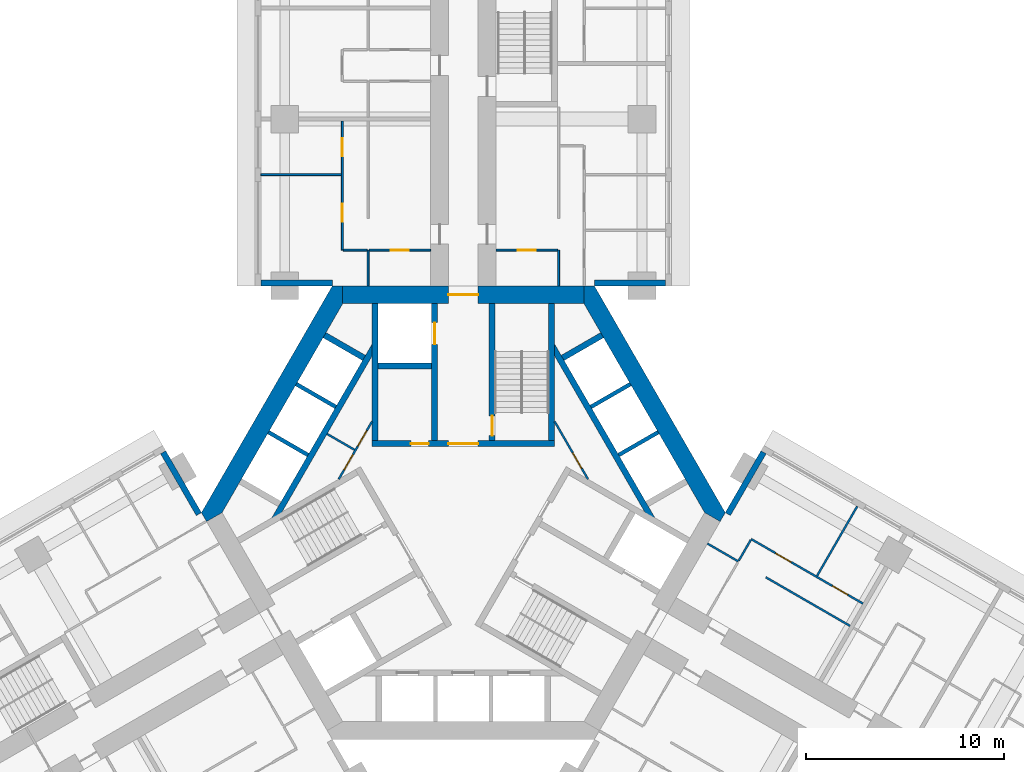
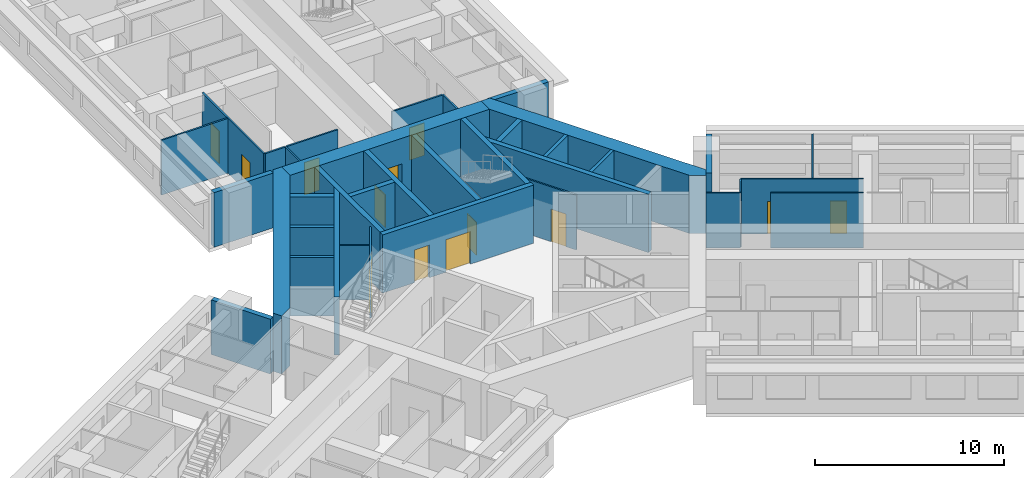
# One storey, part 8 of 16: 36 walls, 14 doors, 14 openings.
"""IFC4 building model written with IfcOpenShell, lengths in metres."""

from ifc_helpers import new_model, si_unit, direction, frame, frame_2d, origin, place, context, subcontext, project, spatial, polyline, rectangle, outline, extrude, material, layer, layer_set, type_object, element, fill, save


model = new_model("IFC4")

# Units and contexts
model_context = context("Model", 3, precision=1e-05, world=origin(), true_north=direction((0.0, 1.0)))
body_context = subcontext(model_context, "Body", "Model", "MODEL_VIEW")
ifc_project = project(units=[si_unit("LENGTHUNIT", "METRE"), si_unit("AREAUNIT", "SQUARE_METRE"), si_unit("VOLUMEUNIT", "CUBIC_METRE"), si_unit("PLANEANGLEUNIT", "RADIAN"), si_unit("MASSUNIT", "GRAM", prefix="KILO")], contexts=[model_context])

# Site, building, storey
site_placement = place(None, origin())
site = spatial("IfcSite", under=ifc_project, at=site_placement, CompositionType="ELEMENT")
building_placement = place(site_placement, origin())
building = spatial("IfcBuilding", under=site, at=building_placement, Name="Impinga Residences", CompositionType="ELEMENT")
storey_placement = place(building_placement, frame((0.0, 0.0, 67.25)))
storey = spatial("IfcBuildingStorey", under=building, at=storey_placement, Name="L16", CompositionType="ELEMENT", Elevation=67.25)

# Wall, opening, door
ifc_material_1 = material(Name="Concrete blockwork", Category="masonry")
ifc_layer_1 = layer(ifc_material_1, 0.10009765625)
ifc_layer_set_1 = layer_set([ifc_layer_1], Name="CP1 core room partition, blockwork 100")
wall_type_1 = type_object("IfcWallType", Name="CP1 core room partition, blockwork 100", PredefinedType="PARTITIONING", material=ifc_layer_set_1)
wall_1_placement = place(storey_placement, frame((4.60009765625, 4.595703125, 0.0), z_axis=(0.0, 0.0, 1.0), x_axis=(0.499976138585, -0.866039179741, 0.0)))
wall_1 = element("IfcWall", 1, at=wall_1_placement, inside=storey, type_object=wall_type_1, Name="Core room partition, blockwork L16:CORE:mid:FP", PredefinedType="PARTITIONING", context=body_context, shape_type="SweptSolid", body=[
    extrude(rectangle(XDim=3.360107421875, YDim=0.10009765625, at=frame_2d((1.68017578125, 0.0))), origin(), (0.0, 0.0, 1.0), 3.530029296875),
])
opening_1_placement = place(wall_1_placement, frame((1.829833984375, 0.0, 0.0)))
opening_1 = element("IfcOpeningElement", 2, at=opening_1_placement, cuts=wall_1, Name="Opening D6", PredefinedType="OPENING", context=body_context, shape_type="SweptSolid", body=[
    extrude(rectangle(XDim=0.89990234375, YDim=2.10009765625, at=frame_2d((0.449951171875, 1.050048828125))), frame((0.0, 0.06005859375, 0.0), z_axis=(0.0, -1.0, 0.0), x_axis=(1.0, 0.0, 0.0)), (0.0, 0.0, 1.0), 0.1201171875),
])
ifc_material_2 = material(Name="Timber door set", Category="wood")
door_type_1 = type_object("IfcDoorType", Name="D6 riser and store door 900x2100", OperationType="SINGLE_SWING_LEFT", PredefinedType="DOOR", material=ifc_material_2)
door_1_placement = place(opening_1_placement, origin())
door_1 = element("IfcDoor", 3, at=door_1_placement, inside=storey, type_object=door_type_1, Name="Residents' storage lockers door", OperationType="SINGLE_SWING_RIGHT", OverallHeight=2.10009765625, OverallWidth=0.89990234375, PredefinedType="DOOR", context=body_context, shape_type="SweptSolid", body=[
    extrude(rectangle(XDim=0.89990234375, YDim=2.10009765625, at=frame_2d((0.449951171875, 1.050048828125))), frame((0.0, 0.02490234375, 0.0), z_axis=(0.0, -1.0, 0.0), x_axis=(1.0, 0.0, 0.0)), (0.0, 0.0, 1.0), 0.050048828125),
])
fill(opening_1, door_1)

# Wall, openings, doors
wall_2_placement = place(storey_placement, frame((-6.280029296875, 1.685791015625, 0.0), z_axis=(0.0, 0.0, 1.0), x_axis=(0.499976138585, 0.866039179741, 0.0)))
wall_2 = element("IfcWall", 4, at=wall_2_placement, inside=storey, type_object=wall_type_1, Name="Core room partition, blockwork L16:CORE:high:FP", PredefinedType="PARTITIONING", context=body_context, shape_type="SweptSolid", body=[
    extrude(rectangle(XDim=3.360107421875, YDim=0.10009765625, at=frame_2d((1.68017578125, 0.0))), origin(), (0.0, 0.0, 1.0), 3.530029296875),
])
opening_2_placement = place(wall_2_placement, frame((0.530029296875, 0.0, 0.0)))
opening_2 = element("IfcOpeningElement", 5, at=opening_2_placement, cuts=wall_2, Name="Opening D6", PredefinedType="OPENING", context=body_context, shape_type="SweptSolid", body=[
    extrude(rectangle(XDim=0.89990234375, YDim=2.10009765625, at=frame_2d((0.449951171875, 1.050048828125))), frame((0.0, 0.06005859375, 0.0), z_axis=(0.0, -1.0, 0.0), x_axis=(1.0, 0.0, 0.0)), (0.0, 0.0, 1.0), 0.1201171875),
])
opening_3_placement = place(wall_2_placement, frame((1.929931640625, 0.0, 0.0)))
opening_3 = element("IfcOpeningElement", 6, at=opening_3_placement, cuts=wall_2, Name="Opening D6", PredefinedType="OPENING", context=body_context, shape_type="SweptSolid", body=[
    extrude(rectangle(XDim=0.89990234375, YDim=2.10009765625, at=frame_2d((0.449951171875, 1.050048828125))), frame((0.0, 0.06005859375, 0.0), z_axis=(0.0, -1.0, 0.0), x_axis=(1.0, 0.0, 0.0)), (0.0, 0.0, 1.0), 0.1201171875),
])
door_2_placement = place(opening_2_placement, origin())
door_2 = element("IfcDoor", 7, at=door_2_placement, inside=storey, type_object=door_type_1, Name="Refuse room door", OperationType="SINGLE_SWING_LEFT", OverallHeight=2.10009765625, OverallWidth=0.89990234375, PredefinedType="DOOR", context=body_context, shape_type="SweptSolid", body=[
    extrude(rectangle(XDim=0.89990234375, YDim=2.10009765625, at=frame_2d((0.449951171875, 1.050048828125))), frame((0.0, 0.02490234375, 0.0), z_axis=(0.0, -1.0, 0.0), x_axis=(1.0, 0.0, 0.0)), (0.0, 0.0, 1.0), 0.050048828125),
])
fill(opening_2, door_2)
door_3_placement = place(opening_3_placement, origin())
door_3 = element("IfcDoor", 8, at=door_3_placement, inside=storey, type_object=door_type_1, Name="Recycling store door", OperationType="SINGLE_SWING_RIGHT", OverallHeight=2.10009765625, OverallWidth=0.89990234375, PredefinedType="DOOR", context=body_context, shape_type="SweptSolid", body=[
    extrude(rectangle(XDim=0.89990234375, YDim=2.10009765625, at=frame_2d((0.449951171875, 1.050048828125))), frame((0.0, 0.02490234375, 0.0), z_axis=(0.0, -1.0, 0.0), x_axis=(1.0, 0.0, 0.0)), (0.0, 0.0, 1.0), 0.050048828125),
])
fill(opening_3, door_3)

# Walls
wall_3_placement = place(storey_placement, frame((-5.483154296875, 3.165771484375, 0.0), z_axis=(0.0, 0.0, 1.0), x_axis=(-0.866028054938, 0.499995408039, 0.0)))
element("IfcWall", 9, at=wall_3_placement, inside=storey, type_object=wall_type_1, Name="Core room partition, blockwork L16:CORE:high:FS", PredefinedType="PARTITIONING", context=body_context, shape_type="SweptSolid", body=[
    extrude(rectangle(XDim=1.60009765625, YDim=0.10009765625, at=frame_2d((0.800048828125, 0.0))), origin(), (0.0, 0.0, 1.0), 3.530029296875),
])
ifc_material_3 = material(Name="Terracotta rainscreen on blockwork", Category="masonry")
ifc_layer_2 = layer(ifc_material_3, 0.300048828125)
ifc_layer_set_2 = layer_set([ifc_layer_2], Name="EW1 external wall, terracotta rainscreen on blockwork 300")
wall_type_2 = type_object("IfcWallType", Name="EW1 external wall, terracotta rainscreen on blockwork 300", PredefinedType="SOLIDWALL", material=ifc_layer_set_2)
wall_4_placement = place(storey_placement, frame((-15.1298828125, 3.042724609375, 0.0), z_axis=(0.0, 0.0, 1.0), x_axis=(0.500012057535, -0.866018442252, 0.0)))
element("IfcWall", 10, at=wall_4_placement, inside=storey, type_object=wall_type_2, Name="External wall EW1 L16", PredefinedType="SOLIDWALL", context=body_context, shape_type="SweptSolid", body=[
    extrude(rectangle(XDim=3.60009765625, YDim=0.300048828125, at=frame_2d((1.800048828125, 0.0))), origin(), (0.0, 0.0, 1.0), 3.530029296875),
])
for number, where, z_axis, x_axis, name in (
    (11, (-6.60009765625, 11.58154296875, 0.0), (0.0, 0.0, 1.0), (-1.0, 0.0, 0.0), "External wall EW1 L16"),
    (12, (10.199951171875, 11.58154296875, 0.0), (0.0, 0.0, 1.0), (-1.0, 0.0, 0.0), "External wall EW1 L16"),
):
    element("IfcWall", number, at=place(storey_placement, frame(where, z_axis=z_axis, x_axis=x_axis)), inside=storey, type_object=wall_type_2, Name=name, PredefinedType="SOLIDWALL", context=body_context, shape_type="SweptSolid", body=[
        extrude(rectangle(XDim=3.599853515625, YDim=0.300048828125, at=frame_2d((1.7998046875, 0.0))), origin(), (0.0, 0.0, 1.0), 3.530029296875),
    ])
wall_5_placement = place(storey_placement, frame((13.329833984375, -0.074951171875, 0.0), z_axis=(0.0, 0.0, 1.0), x_axis=(0.500012057535, 0.866018442252, 0.0)))
element("IfcWall", 13, at=wall_5_placement, inside=storey, type_object=wall_type_2, Name="External wall EW1 L16", PredefinedType="SOLIDWALL", context=body_context, shape_type="SweptSolid", body=[
    extrude(rectangle(XDim=3.60009765625, YDim=0.300048828125, at=frame_2d((1.800048828125, 0.0))), origin(), (0.0, 0.0, 1.0), 3.530029296875),
])
ifc_material_4 = material(Name="Gypsum board on steel studs", Category="steel")
ifc_layer_3 = layer(ifc_material_4, 0.10009765625)
ifc_layer_set_3 = layer_set([ifc_layer_3], Name="Gypsum board on steel studs")
wall_type_3 = type_object("IfcWallType", Name="IP1 partition 100", PredefinedType="PARTITIONING", material=ifc_layer_set_3)
wall_6_placement = place(storey_placement, frame((-4.800048828125, 11.431640625, 0.0), z_axis=(0.0, 0.0, 1.0), x_axis=(0.0, 1.0, 0.0)))
element("IfcWall", 14, at=wall_6_placement, inside=storey, type_object=wall_type_3, Name="Partition L16-NA1:DIV0", PredefinedType="PARTITIONING", context=body_context, shape_type="SweptSolid", body=[
    extrude(rectangle(XDim=1.7998046875, YDim=0.10009765625, at=frame_2d((0.89990234375, 0.0))), origin(), (0.0, 0.0, 1.0), 3.530029296875),
])

# Wall, openings, doors
wall_7_placement = place(storey_placement, frame((-6.10009765625, 13.2314453125, 0.0), z_axis=(0.0, 0.0, 1.0), x_axis=(0.0, 1.0, 0.0)))
wall_7 = element("IfcWall", 15, at=wall_7_placement, inside=storey, type_object=wall_type_3, Name="Partition L16-NA1:STRIP", PredefinedType="PARTITIONING", context=body_context, shape_type="SweptSolid", body=[
    extrude(rectangle(XDim=6.5, YDim=0.10009765625, at=frame_2d((3.25, 0.0))), origin(), (0.0, 0.0, 1.0), 3.530029296875),
])
opening_4_placement = place(wall_7_placement, frame((1.425048828125, 0.0, 0.0)))
opening_4 = element("IfcOpeningElement", 16, at=opening_4_placement, cuts=wall_7, Name="Opening D2", PredefinedType="OPENING", context=body_context, shape_type="SweptSolid", body=[
    extrude(rectangle(XDim=0.89990234375, YDim=2.10009765625, at=frame_2d((0.449951171875, 1.050048828125))), frame((0.0, 0.06005859375, 0.0), z_axis=(0.0, -1.0, 0.0), x_axis=(1.0, 0.0, 0.0)), (0.0, 0.0, 1.0), 0.1201171875),
])
opening_5_placement = place(wall_7_placement, frame((4.72509765625, 0.0, 0.0)))
opening_5 = element("IfcOpeningElement", 17, at=opening_5_placement, cuts=wall_7, Name="Opening D2", PredefinedType="OPENING", context=body_context, shape_type="SweptSolid", body=[
    extrude(rectangle(XDim=0.89990234375, YDim=2.10009765625, at=frame_2d((0.449951171875, 1.050048828125))), frame((0.0, 0.06005859375, 0.0), z_axis=(0.0, -1.0, 0.0), x_axis=(1.0, 0.0, 0.0)), (0.0, 0.0, 1.0), 0.1201171875),
])
door_type_2 = type_object("IfcDoorType", Name="D2 internal door 900x2100", OperationType="SINGLE_SWING_LEFT", PredefinedType="DOOR", material=ifc_material_2)
door_4_placement = place(opening_4_placement, origin())
door_4 = element("IfcDoor", 18, at=door_4_placement, inside=storey, type_object=door_type_2, Name="Apartment L16-NA1 room door", OperationType="SINGLE_SWING_LEFT", OverallHeight=2.10009765625, OverallWidth=0.89990234375, PredefinedType="DOOR", context=body_context, shape_type="SweptSolid", body=[
    extrude(rectangle(XDim=0.89990234375, YDim=2.10009765625, at=frame_2d((0.449951171875, 1.050048828125))), frame((0.0, 0.02490234375, 0.0), z_axis=(0.0, -1.0, 0.0), x_axis=(1.0, 0.0, 0.0)), (0.0, 0.0, 1.0), 0.050048828125),
])
fill(opening_4, door_4)
door_5_placement = place(opening_5_placement, origin())
door_5 = element("IfcDoor", 19, at=door_5_placement, inside=storey, type_object=door_type_2, Name="Apartment L16-NA1 room door", OperationType="SINGLE_SWING_RIGHT", OverallHeight=2.10009765625, OverallWidth=0.89990234375, PredefinedType="DOOR", context=body_context, shape_type="SweptSolid", body=[
    extrude(rectangle(XDim=0.89990234375, YDim=2.10009765625, at=frame_2d((0.449951171875, 1.050048828125))), frame((0.0, 0.02490234375, 0.0), z_axis=(0.0, -1.0, 0.0), x_axis=(1.0, 0.0, 0.0)), (0.0, 0.0, 1.0), 0.050048828125),
])
fill(opening_5, door_5)

# Wall
wall_8_placement = place(storey_placement, frame((-4.85009765625, 13.2314453125, 0.0), z_axis=(0.0, 0.0, 1.0), x_axis=(-1.0, 0.0, 0.0)))
element("IfcWall", 20, at=wall_8_placement, inside=storey, type_object=wall_type_3, Name="Partition L16-NA1:SE0", PredefinedType="PARTITIONING", context=body_context, shape_type="SweptSolid", body=[
    extrude(rectangle(XDim=1.199951171875, YDim=0.10009765625, at=frame_2d((0.60009765625, 0.0))), origin(), (0.0, 0.0, 1.0), 3.530029296875),
])

# Wall, opening, door
wall_9_placement = place(storey_placement, frame((-1.64990234375, 13.2314453125, 0.0), z_axis=(0.0, 0.0, 1.0), x_axis=(-1.0, 0.0, 0.0)))
wall_9 = element("IfcWall", 21, at=wall_9_placement, inside=storey, type_object=wall_type_3, Name="Partition L16-NA1:IB1", PredefinedType="PARTITIONING", context=body_context, shape_type="SweptSolid", body=[
    extrude(rectangle(XDim=3.10009765625, YDim=0.10009765625, at=frame_2d((1.550048828125, 0.0))), origin(), (0.0, 0.0, 1.0), 3.530029296875),
])
opening_6_placement = place(wall_9_placement, frame((1.10009765625, 0.0, 0.0)))
opening_6 = element("IfcOpeningElement", 22, at=opening_6_placement, cuts=wall_9, Name="Opening D2", PredefinedType="OPENING", context=body_context, shape_type="SweptSolid", body=[
    extrude(rectangle(XDim=0.89990234375, YDim=2.10009765625, at=frame_2d((0.449951171875, 1.050048828125))), frame((0.0, 0.06005859375, 0.0), z_axis=(0.0, -1.0, 0.0), x_axis=(1.0, 0.0, 0.0)), (0.0, 0.0, 1.0), 0.1201171875),
])
door_6_placement = place(opening_6_placement, origin())
door_6 = element("IfcDoor", 23, at=door_6_placement, inside=storey, type_object=door_type_2, Name="Apartment L16-NA1 bathroom door", OperationType="SINGLE_SWING_LEFT", OverallHeight=2.10009765625, OverallWidth=0.89990234375, PredefinedType="DOOR", context=body_context, shape_type="SweptSolid", body=[
    extrude(rectangle(XDim=0.89990234375, YDim=2.10009765625, at=frame_2d((0.449951171875, 1.050048828125))), frame((0.0, 0.02490234375, 0.0), z_axis=(0.0, -1.0, 0.0), x_axis=(1.0, 0.0, 0.0)), (0.0, 0.0, 1.0), 0.050048828125),
])
fill(opening_6, door_6)

# Walls
wall_10_placement = place(storey_placement, frame((-6.14990234375, 17.031494140625, 0.0), z_axis=(0.0, 0.0, 1.0), x_axis=(-1.0, 0.0, 0.0)))
element("IfcWall", 24, at=wall_10_placement, inside=storey, type_object=wall_type_3, Name="Partition L16-NA1:OB1", PredefinedType="PARTITIONING", context=body_context, shape_type="SweptSolid", body=[
    extrude(rectangle(XDim=4.050048828125, YDim=0.10009765625, at=frame_2d((2.02490234375, 0.0))), origin(), (0.0, 0.0, 1.0), 3.530029296875),
])
wall_11_placement = place(storey_placement, frame((4.800048828125, 11.431640625, 0.0), z_axis=(0.0, 0.0, 1.0), x_axis=(0.0, 1.0, 0.0)))
element("IfcWall", 25, at=wall_11_placement, inside=storey, type_object=wall_type_3, Name="Partition L16-NF1:DIV0", PredefinedType="PARTITIONING", context=body_context, shape_type="SweptSolid", body=[
    extrude(rectangle(XDim=1.7998046875, YDim=0.10009765625, at=frame_2d((0.89990234375, 0.0))), origin(), (0.0, 0.0, 1.0), 3.530029296875),
])

# Wall, opening, door
wall_12_placement = place(storey_placement, frame((1.64990234375, 13.2314453125, 0.0), z_axis=(0.0, 0.0, 1.0), x_axis=(1.0, 0.0, 0.0)))
wall_12 = element("IfcWall", 26, at=wall_12_placement, inside=storey, type_object=wall_type_3, Name="Partition L16-NF1:IB1", PredefinedType="PARTITIONING", context=body_context, shape_type="SweptSolid", body=[
    extrude(rectangle(XDim=3.10009765625, YDim=0.10009765625, at=frame_2d((1.550048828125, 0.0))), origin(), (0.0, 0.0, 1.0), 3.530029296875),
])
opening_7_placement = place(wall_12_placement, frame((1.10009765625, 0.0, 0.0)))
opening_7 = element("IfcOpeningElement", 27, at=opening_7_placement, cuts=wall_12, Name="Opening D2", PredefinedType="OPENING", context=body_context, shape_type="SweptSolid", body=[
    extrude(rectangle(XDim=0.89990234375, YDim=2.10009765625, at=frame_2d((0.449951171875, 1.050048828125))), frame((0.0, 0.06005859375, 0.0), z_axis=(0.0, -1.0, 0.0), x_axis=(1.0, 0.0, 0.0)), (0.0, 0.0, 1.0), 0.1201171875),
])
door_7_placement = place(opening_7_placement, origin())
door_7 = element("IfcDoor", 28, at=door_7_placement, inside=storey, type_object=door_type_2, Name="Apartment L16-NF1 bathroom door", OperationType="SINGLE_SWING_LEFT", OverallHeight=2.10009765625, OverallWidth=0.89990234375, PredefinedType="DOOR", context=body_context, shape_type="SweptSolid", body=[
    extrude(rectangle(XDim=0.89990234375, YDim=2.10009765625, at=frame_2d((0.449951171875, 1.050048828125))), frame((0.0, 0.02490234375, 0.0), z_axis=(0.0, -1.0, 0.0), x_axis=(1.0, 0.0, 0.0)), (0.0, 0.0, 1.0), 0.050048828125),
])
fill(opening_7, door_7)

# Walls
wall_13_placement = place(storey_placement, frame((12.300048828125, -1.558837890625, 0.0), z_axis=(0.0, 0.0, 1.0), x_axis=(0.866047807691, -0.499961193289, 0.0)))
element("IfcWall", 29, at=wall_13_placement, inside=storey, type_object=wall_type_3, Name="Partition L16-EA1:DIV0", PredefinedType="PARTITIONING", context=body_context, shape_type="SweptSolid", body=[
    extrude(rectangle(XDim=1.800048828125, YDim=0.10009765625, at=frame_2d((0.89990234375, 0.0))), origin(), (0.0, 0.0, 1.0), 3.530029296875),
])
wall_14_placement = place(storey_placement, frame((15.244384765625, -3.2587890625, 0.0), z_axis=(0.0, 0.0, 1.0), x_axis=(0.866036242063, -0.49998122708, 0.0)))
element("IfcWall", 30, at=wall_14_placement, inside=storey, type_object=wall_type_3, Name="Partition L16-EA1:DIV1", PredefinedType="PARTITIONING", context=body_context, shape_type="SweptSolid", body=[
    extrude(rectangle(XDim=4.900146484375, YDim=0.10009765625, at=frame_2d((2.4501953125, 0.0))), origin(), (0.0, 0.0, 1.0), 3.530029296875),
])

# Wall, openings, doors
wall_15_placement = place(storey_placement, frame((14.5087890625, -1.3330078125, 0.0), z_axis=(0.0, 0.0, 1.0), x_axis=(0.866024837091, -0.50000098154, 0.0)))
wall_15 = element("IfcWall", 31, at=wall_15_placement, inside=storey, type_object=wall_type_3, Name="Partition L16-EA1:STRIP", PredefinedType="PARTITIONING", context=body_context, shape_type="SweptSolid", body=[
    extrude(rectangle(XDim=6.5, YDim=0.10009765625, at=frame_2d((3.25, 0.0))), origin(), (0.0, 0.0, 1.0), 3.530029296875),
])
opening_8_placement = place(wall_15_placement, frame((1.425048828125, 0.0, 0.0)))
opening_8 = element("IfcOpeningElement", 32, at=opening_8_placement, cuts=wall_15, Name="Opening D2", PredefinedType="OPENING", context=body_context, shape_type="SweptSolid", body=[
    extrude(rectangle(XDim=0.89990234375, YDim=2.10009765625, at=frame_2d((0.449951171875, 1.050048828125))), frame((0.0, 0.06005859375, 0.0), z_axis=(0.0, -1.0, 0.0), x_axis=(1.0, 0.0, 0.0)), (0.0, 0.0, 1.0), 0.1201171875),
])
opening_9_placement = place(wall_15_placement, frame((4.72509765625, 0.0, 0.0)))
opening_9 = element("IfcOpeningElement", 33, at=opening_9_placement, cuts=wall_15, Name="Opening D2", PredefinedType="OPENING", context=body_context, shape_type="SweptSolid", body=[
    extrude(rectangle(XDim=0.89990234375, YDim=2.10009765625, at=frame_2d((0.449951171875, 1.050048828125))), frame((0.0, 0.06005859375, 0.0), z_axis=(0.0, -1.0, 0.0), x_axis=(1.0, 0.0, 0.0)), (0.0, 0.0, 1.0), 0.1201171875),
])
door_8_placement = place(opening_8_placement, origin())
door_8 = element("IfcDoor", 34, at=door_8_placement, inside=storey, type_object=door_type_2, Name="Apartment L16-EA1 room door", OperationType="SINGLE_SWING_LEFT", OverallHeight=2.10009765625, OverallWidth=0.89990234375, PredefinedType="DOOR", context=body_context, shape_type="SweptSolid", body=[
    extrude(rectangle(XDim=0.89990234375, YDim=2.10009765625, at=frame_2d((0.449951171875, 1.050048828125))), frame((0.0, 0.02490234375, 0.0), z_axis=(0.0, -1.0, 0.0), x_axis=(1.0, 0.0, 0.0)), (0.0, 0.0, 1.0), 0.050048828125),
])
fill(opening_8, door_8)
door_9_placement = place(opening_9_placement, origin())
door_9 = element("IfcDoor", 35, at=door_9_placement, inside=storey, type_object=door_type_2, Name="Apartment L16-EA1 room door", OperationType="SINGLE_SWING_RIGHT", OverallHeight=2.10009765625, OverallWidth=0.89990234375, PredefinedType="DOOR", context=body_context, shape_type="SweptSolid", body=[
    extrude(rectangle(XDim=0.89990234375, YDim=2.10009765625, at=frame_2d((0.449951171875, 1.050048828125))), frame((0.0, 0.02490234375, 0.0), z_axis=(0.0, -1.0, 0.0), x_axis=(1.0, 0.0, 0.0)), (0.0, 0.0, 1.0), 0.050048828125),
])
fill(opening_9, door_9)

# Walls
wall_16_placement = place(storey_placement, frame((13.8837890625, -2.41552734375, 0.0), z_axis=(0.0, 0.0, 1.0), x_axis=(0.500033551112, 0.866006032174, 0.0)))
element("IfcWall", 36, at=wall_16_placement, inside=storey, type_object=wall_type_3, Name="Partition L16-EA1:SE0", PredefinedType="PARTITIONING", context=body_context, shape_type="SweptSolid", body=[
    extrude(rectangle(XDim=1.2001953125, YDim=0.10009765625, at=frame_2d((0.60009765625, 0.0))), origin(), (0.0, 0.0, 1.0), 3.530029296875),
])
wall_17_placement = place(storey_placement, frame((17.82470703125, -3.189697265625, 0.0), z_axis=(0.0, 0.0, 1.0), x_axis=(0.500035537042, 0.866004885491, 0.0)))
element("IfcWall", 37, at=wall_17_placement, inside=storey, type_object=wall_type_3, Name="Partition L16-EA1:OB1", PredefinedType="PARTITIONING", context=body_context, shape_type="SweptSolid", body=[
    extrude(rectangle(XDim=4.050048828125, YDim=0.10009765625, at=frame_2d((2.02490234375, 0.0))), origin(), (0.0, 0.0, 1.0), 3.530029296875),
])

# Wall, opening, door
ifc_material_5 = material(Name="Concrete C70/85", Category="concrete")
ifc_layer_4 = layer(ifc_material_5, 0.89990234375)
ifc_layer_set_4 = layer_set([ifc_layer_4], Name="Concrete C70/85")
wall_type_4 = type_object("IfcWallType", Name="SW1 core wall 900", PredefinedType="SHEAR", material=ifc_layer_set_4)
wall_18_placement = place(storey_placement, frame((-6.080322265625, 10.9814453125, 0.0), z_axis=(0.0, 0.0, 1.0), x_axis=(1.0, 0.0, 0.0)))
wall_18 = element("IfcWall", 38, at=wall_18_placement, inside=storey, type_object=wall_type_4, Name="Core wall SW1 N:FACE L16", PredefinedType="SHEAR", context=body_context, shape_type="SweptSolid", body=[
    extrude(rectangle(XDim=12.16064453125, YDim=0.89990234375, at=frame_2d((6.080322265625, 0.0))), origin(), (0.0, 0.0, 1.0), 3.75),
])
opening_10_placement = place(wall_18_placement, frame((5.330322265625, 0.0, 0.0)))
opening_10 = element("IfcOpeningElement", 39, at=opening_10_placement, cuts=wall_18, Name="Opening D4", PredefinedType="OPENING", context=body_context, shape_type="SweptSolid", body=[
    extrude(rectangle(XDim=1.5, YDim=2.10009765625, at=frame_2d((0.75, 1.050048828125))), frame((0.0, 0.4599609375, 0.0), z_axis=(0.0, -1.0, 0.0), x_axis=(1.0, 0.0, 0.0)), (0.0, 0.0, 1.0), 0.919921875),
])
door_type_3 = type_object("IfcDoorType", Name="D4 lobby door pair 1500x2100", OperationType="DOUBLE_DOOR_DOUBLE_SWING", PredefinedType="DOOR", material=ifc_material_2)
door_10_placement = place(opening_10_placement, origin())
door_10 = element("IfcDoor", 40, at=door_10_placement, inside=storey, type_object=door_type_3, Name="Lobby door N", OperationType="DOUBLE_DOOR_DOUBLE_SWING", OverallHeight=2.10009765625, OverallWidth=1.5, PredefinedType="DOOR", context=body_context, shape_type="SweptSolid", body=[
    extrude(rectangle(XDim=1.5, YDim=2.10009765625, at=frame_2d((0.75, 1.050048828125))), frame((0.0, 0.02490234375, 0.0), z_axis=(0.0, -1.0, 0.0), x_axis=(1.0, 0.0, 0.0)), (0.0, 0.0, 1.0), 0.050048828125),
])
fill(opening_10, door_10)

# Walls
wall_19_placement = place(storey_placement, origin())
element("IfcWall", 41, at=wall_19_placement, inside=storey, type_object=wall_type_4, Name="Core wall SW1 W:EXPOSED L16", PredefinedType="SHEAR", context=body_context, shape_type="SweptSolid", body=[
    extrude(outline(polyline([(13.199951171875, 0.0), (6.60009765625, 11.431640625), (6.080322265625, 11.431640625), (6.080322265625, 10.531494140625), (12.160888671875, 0.0), (12.940185546875, -0.449951171875), (13.199951171875, 0.0)])), origin(), (0.0, 0.0, 1.0), 3.75),
])
wall_20_placement = place(storey_placement, origin())
element("IfcWall", 42, at=wall_20_placement, inside=storey, type_object=wall_type_4, Name="Core wall SW1 E:EXPOSED L16", PredefinedType="SHEAR", context=body_context, shape_type="SweptSolid", body=[
    extrude(outline(polyline([(-6.60009765625, 11.431640625), (-13.199951171875, 0.0), (-12.940185546875, -0.449951171875), (-12.160888671875, 0.0), (-6.080322265625, 10.531494140625), (-6.080322265625, 11.431640625), (-6.60009765625, 11.431640625)])), origin(), (0.0, 0.0, 1.0), 3.75),
])

# Wall, openings, doors
ifc_layer_5 = layer(ifc_material_5, 0.300048828125)
ifc_layer_set_5 = layer_set([ifc_layer_5], Name="Concrete C70/85")
wall_type_5 = type_object("IfcWallType", Name="SW5 core inner wall, stairs, shafts and lobbies 300", PredefinedType="SHEAR", material=ifc_layer_set_5)
wall_21_placement = place(storey_placement, frame((-4.60009765625, 3.47998046875, 0.0), z_axis=(0.0, 0.0, 1.0), x_axis=(1.0, 0.0, 0.0)))
wall_21 = element("IfcWall", 43, at=wall_21_placement, inside=storey, type_object=wall_type_5, Name="Core wall SW5 N:ZONE L16", PredefinedType="SHEAR", context=body_context, shape_type="SweptSolid", body=[
    extrude(rectangle(XDim=9.2001953125, YDim=0.300048828125, at=frame_2d((4.60009765625, 0.0))), origin(), (0.0, 0.0, 1.0), 3.75),
])
opening_11_placement = place(wall_21_placement, frame((3.85009765625, 0.0, 0.0)))
opening_11 = element("IfcOpeningElement", 44, at=opening_11_placement, cuts=wall_21, Name="Opening D4", PredefinedType="OPENING", context=body_context, shape_type="SweptSolid", body=[
    extrude(rectangle(XDim=1.5, YDim=2.10009765625, at=frame_2d((0.75, 1.050048828125))), frame((0.0, 0.159912109375, 0.0), z_axis=(0.0, -1.0, 0.0), x_axis=(1.0, 0.0, 0.0)), (0.0, 0.0, 1.0), 0.320068359375),
])
opening_12_placement = place(wall_21_placement, frame((1.949951171875, 0.0, 0.0)))
opening_12 = element("IfcOpeningElement", 45, at=opening_12_placement, cuts=wall_21, Name="Opening D6", PredefinedType="OPENING", context=body_context, shape_type="SweptSolid", body=[
    extrude(rectangle(XDim=0.89990234375, YDim=2.10009765625, at=frame_2d((0.449951171875, 1.050048828125))), frame((0.0, 0.159912109375, 0.0), z_axis=(0.0, -1.0, 0.0), x_axis=(1.0, 0.0, 0.0)), (0.0, 0.0, 1.0), 0.320068359375),
])
door_11_placement = place(opening_11_placement, origin())
door_11 = element("IfcDoor", 46, at=door_11_placement, inside=storey, type_object=door_type_3, Name="Firefighting lobby door N", OperationType="DOUBLE_DOOR_DOUBLE_SWING", OverallHeight=2.10009765625, OverallWidth=1.5, PredefinedType="DOOR", context=body_context, shape_type="SweptSolid", body=[
    extrude(rectangle(XDim=1.5, YDim=2.10009765625, at=frame_2d((0.75, 1.050048828125))), frame((0.0, 0.02490234375, 0.0), z_axis=(0.0, -1.0, 0.0), x_axis=(1.0, 0.0, 0.0)), (0.0, 0.0, 1.0), 0.050048828125),
])
fill(opening_11, door_11)
door_12_placement = place(opening_12_placement, origin())
door_12 = element("IfcDoor", 47, at=door_12_placement, inside=storey, type_object=door_type_1, Name="Riser door N", OperationType="SINGLE_SWING_LEFT", OverallHeight=2.10009765625, OverallWidth=0.89990234375, PredefinedType="DOOR", context=body_context, shape_type="SweptSolid", body=[
    extrude(rectangle(XDim=0.89990234375, YDim=2.10009765625, at=frame_2d((0.449951171875, 1.050048828125))), frame((0.0, 0.02490234375, 0.0), z_axis=(0.0, -1.0, 0.0), x_axis=(1.0, 0.0, 0.0)), (0.0, 0.0, 1.0), 0.050048828125),
])
fill(opening_12, door_12)

# Wall, opening, door
wall_22_placement = place(storey_placement, frame((1.449951171875, 3.6298828125, 0.0), z_axis=(0.0, 0.0, 1.0), x_axis=(0.0, 1.0, 0.0)))
wall_22 = element("IfcWall", 48, at=wall_22_placement, inside=storey, type_object=wall_type_5, Name="Core wall SW5 N:ST-IN L16", PredefinedType="SHEAR", context=body_context, shape_type="SweptSolid", body=[
    extrude(rectangle(XDim=6.901611328125, YDim=0.300048828125, at=frame_2d((3.45068359375, 0.0))), origin(), (0.0, 0.0, 1.0), 3.75),
])
opening_13_placement = place(wall_22_placement, frame((0.25, 0.0, 0.0)))
opening_13 = element("IfcOpeningElement", 49, at=opening_13_placement, cuts=wall_22, Name="Opening D5", PredefinedType="OPENING", context=body_context, shape_type="SweptSolid", body=[
    extrude(rectangle(XDim=1.0, YDim=2.10009765625, at=frame_2d((0.5, 1.050048828125))), frame((0.0, 0.159912109375, 0.0), z_axis=(0.0, -1.0, 0.0), x_axis=(1.0, 0.0, 0.0)), (0.0, 0.0, 1.0), 0.320068359375),
])
door_type_4 = type_object("IfcDoorType", Name="D5 stair door 1000x2100", OperationType="SINGLE_SWING_LEFT", PredefinedType="DOOR", material=ifc_material_2)
door_13_placement = place(opening_13_placement, origin())
door_13 = element("IfcDoor", 50, at=door_13_placement, inside=storey, type_object=door_type_4, Name="Stair door N", OperationType="SINGLE_SWING_LEFT", OverallHeight=2.10009765625, OverallWidth=1.0, PredefinedType="DOOR", context=body_context, shape_type="SweptSolid", body=[
    extrude(rectangle(XDim=1.0, YDim=2.10009765625, at=frame_2d((0.5, 1.050048828125))), frame((0.0, 0.02490234375, 0.0), z_axis=(0.0, -1.0, 0.0), x_axis=(1.0, 0.0, 0.0)), (0.0, 0.0, 1.0), 0.050048828125),
])
fill(opening_13, door_13)

# Wall
wall_23_placement = place(storey_placement, frame((4.449951171875, 3.6298828125, 0.0), z_axis=(0.0, 0.0, 1.0), x_axis=(0.0, 1.0, 0.0)))
element("IfcWall", 51, at=wall_23_placement, inside=storey, type_object=wall_type_5, Name="Core wall SW5 N:ST-OUT L16", PredefinedType="SHEAR", context=body_context, shape_type="SweptSolid", body=[
    extrude(rectangle(XDim=6.901611328125, YDim=0.300048828125, at=frame_2d((3.45068359375, 0.0))), origin(), (0.0, 0.0, 1.0), 3.75),
])

# Wall, opening, door
wall_24_placement = place(storey_placement, frame((-1.449951171875, 3.6298828125, 0.0), z_axis=(0.0, 0.0, 1.0), x_axis=(0.0, 1.0, 0.0)))
wall_24 = element("IfcWall", 52, at=wall_24_placement, inside=storey, type_object=wall_type_5, Name="Core wall SW5 N:FF-IN L16", PredefinedType="SHEAR", context=body_context, shape_type="SweptSolid", body=[
    extrude(rectangle(XDim=6.901611328125, YDim=0.300048828125, at=frame_2d((3.45068359375, 0.0))), origin(), (0.0, 0.0, 1.0), 3.75),
])
opening_14_placement = place(wall_24_placement, frame((4.85009765625, 0.0, 0.0)))
opening_14 = element("IfcOpeningElement", 53, at=opening_14_placement, cuts=wall_24, Name="Opening LD2", PredefinedType="OPENING", context=body_context, shape_type="SweptSolid", body=[
    extrude(rectangle(XDim=1.10009765625, YDim=2.10009765625, at=frame_2d((0.550048828125, 1.050048828125))), frame((0.0, 0.159912109375, 0.0), z_axis=(0.0, -1.0, 0.0), x_axis=(1.0, 0.0, 0.0)), (0.0, 0.0, 1.0), 0.320068359375),
])
ifc_material_6 = material(Name="Steel lift landing door", Category="steel")
door_type_5 = type_object("IfcDoorType", Name="LD2 firefighting lift landing door 1100x2100", OperationType="DOUBLE_DOOR_SLIDING", PredefinedType="DOOR", material=ifc_material_6)
door_14_placement = place(opening_14_placement, origin())
door_14 = element("IfcDoor", 54, at=door_14_placement, inside=storey, type_object=door_type_5, Name="Firefighting lift landing door F1", OperationType="DOUBLE_DOOR_SLIDING", OverallHeight=2.10009765625, OverallWidth=1.10009765625, PredefinedType="DOOR", context=body_context, shape_type="SweptSolid", body=[
    extrude(rectangle(XDim=1.10009765625, YDim=2.10009765625, at=frame_2d((0.550048828125, 1.050048828125))), frame((0.0, 0.02490234375, 0.0), z_axis=(0.0, -1.0, 0.0), x_axis=(1.0, 0.0, 0.0)), (0.0, 0.0, 1.0), 0.050048828125),
])
fill(opening_14, door_14)

# Walls
wall_25_placement = place(storey_placement, frame((-4.449951171875, 3.6298828125, 0.0), z_axis=(0.0, 0.0, 1.0), x_axis=(0.0, 1.0, 0.0)))
element("IfcWall", 55, at=wall_25_placement, inside=storey, type_object=wall_type_5, Name="Core wall SW5 N:FF-OUT L16", PredefinedType="SHEAR", context=body_context, shape_type="SweptSolid", body=[
    extrude(rectangle(XDim=6.901611328125, YDim=0.300048828125, at=frame_2d((3.45068359375, 0.0))), origin(), (0.0, 0.0, 1.0), 3.75),
])
wall_26_placement = place(storey_placement, frame((-4.300048828125, 7.3798828125, 0.0), z_axis=(0.0, 0.0, 1.0), x_axis=(1.0, 0.0, 0.0)))
element("IfcWall", 56, at=wall_26_placement, inside=storey, type_object=wall_type_5, Name="Core wall SW5 N:FF-RS L16", PredefinedType="SHEAR", context=body_context, shape_type="SweptSolid", body=[
    extrude(rectangle(XDim=2.699951171875, YDim=0.300048828125, at=frame_2d((1.35009765625, 0.0))), origin(), (0.0, 0.0, 1.0), 3.75),
])
wall_27_placement = place(storey_placement, frame((4.449951171875, 8.455322265625, 0.0), z_axis=(0.0, 0.0, 1.0), x_axis=(0.500002290144, -0.866024081565, 0.0)))
element("IfcWall", 57, at=wall_27_placement, inside=storey, type_object=wall_type_5, Name="Core wall SW5 W:BANK-FRONT L16", PredefinedType="SHEAR", context=body_context, shape_type="SweptSolid", body=[
    extrude(rectangle(XDim=10.1953125, YDim=0.300048828125, at=frame_2d((5.09765625, 0.0))), origin(), (0.0, 0.0, 1.0), 3.75),
])
wall_28_placement = place(storey_placement, frame((5.003662109375, 7.79638671875, 0.0), z_axis=(0.0, 0.0, 1.0), x_axis=(0.866053019151, 0.499952165731, 0.0)))
element("IfcWall", 58, at=wall_28_placement, inside=storey, type_object=wall_type_5, Name="Core wall SW5 W:BANK-L L16", PredefinedType="SHEAR", context=body_context, shape_type="SweptSolid", body=[
    extrude(rectangle(XDim=2.300048828125, YDim=0.300048828125, at=frame_2d((1.14990234375, 0.0))), origin(), (0.0, 0.0, 1.0), 3.75),
])
wall_29_placement = place(storey_placement, frame((-9.547607421875, -0.3740234375, 0.0), z_axis=(0.0, 0.0, 1.0), x_axis=(0.500002290144, 0.866024081565, 0.0)))
element("IfcWall", 59, at=wall_29_placement, inside=storey, type_object=wall_type_5, Name="Core wall SW5 E:BANK-FRONT L16", PredefinedType="SHEAR", context=body_context, shape_type="SweptSolid", body=[
    extrude(rectangle(XDim=10.1953125, YDim=0.300048828125, at=frame_2d((5.09765625, 0.0))), origin(), (0.0, 0.0, 1.0), 3.75),
])
wall_30_placement = place(storey_placement, frame((-5.003662109375, 7.79638671875, 0.0), z_axis=(0.0, 0.0, 1.0), x_axis=(-0.866053019151, 0.499952165731, 0.0)))
element("IfcWall", 60, at=wall_30_placement, inside=storey, type_object=wall_type_5, Name="Core wall SW5 E:BANK-R L16", PredefinedType="SHEAR", context=body_context, shape_type="SweptSolid", body=[
    extrude(rectangle(XDim=2.300048828125, YDim=0.300048828125, at=frame_2d((1.14990234375, 0.0))), origin(), (0.0, 0.0, 1.0), 3.75),
])
ifc_layer_6 = layer(ifc_material_5, 0.199951171875)
ifc_layer_set_6 = layer_set([ifc_layer_6], Name="Concrete C70/85")
wall_type_6 = type_object("IfcWallType", Name="SW6 lift shaft divider wall 200", PredefinedType="SHEAR", material=ifc_layer_set_6)
for number, where, z_axis, x_axis, name in (
    (61, (6.4287109375, 5.328125, 0.0), (0.0, 0.0, 1.0), (0.866007057882, 0.500031774688, 0.0), "Core wall SW6 W:BANK-D1 L16"),
    (62, (7.82861328125, 2.9033203125, 0.0), (0.0, 0.0, 1.0), (0.866053019151, 0.499952165731, 0.0), "Core wall SW6 W:BANK-D2 L16"),
    (63, (-7.82861328125, 2.9033203125, 0.0), (0.0, 0.0, 1.0), (-0.866053019151, 0.499952165731, 0.0), "Core wall SW6 E:BANK-D1 L16"),
    (64, (-6.4287109375, 5.328125, 0.0), (0.0, 0.0, 1.0), (-0.866007057882, 0.500031774688, 0.0), "Core wall SW6 E:BANK-D2 L16"),
):
    element("IfcWall", number, at=place(storey_placement, frame(where, z_axis=z_axis, x_axis=x_axis)), inside=storey, type_object=wall_type_6, Name=name, PredefinedType="SHEAR", context=body_context, shape_type="SweptSolid", body=[
        extrude(rectangle(XDim=2.300048828125, YDim=0.199951171875, at=frame_2d((1.14990234375, 0.0))), origin(), (0.0, 0.0, 1.0), 3.75),
    ])

save(model, "model.ifc")
